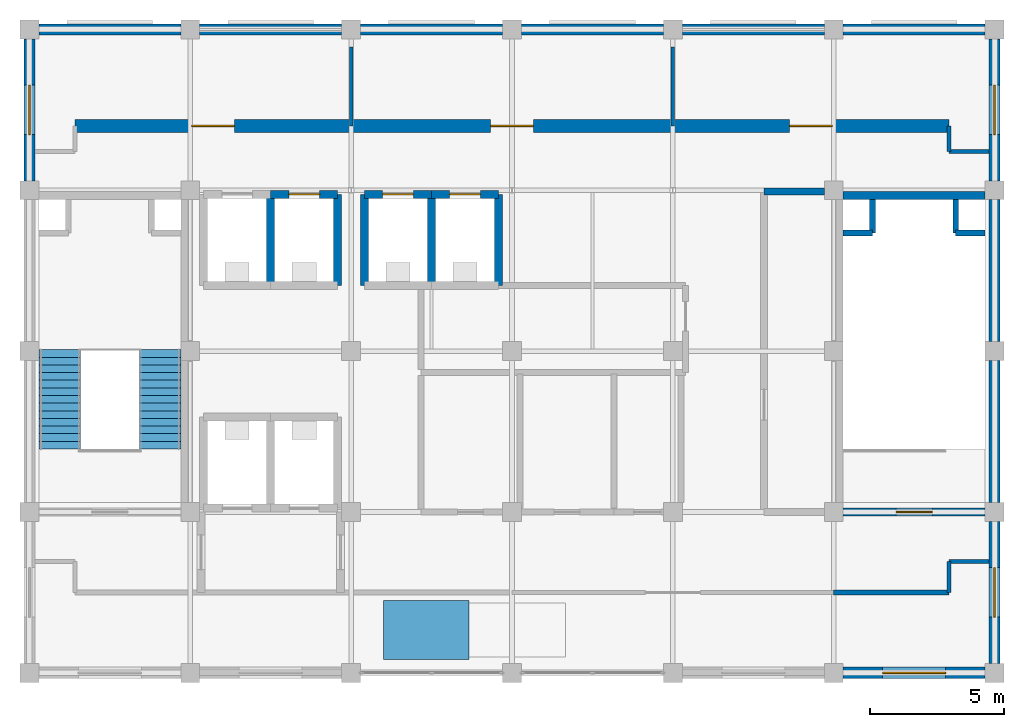
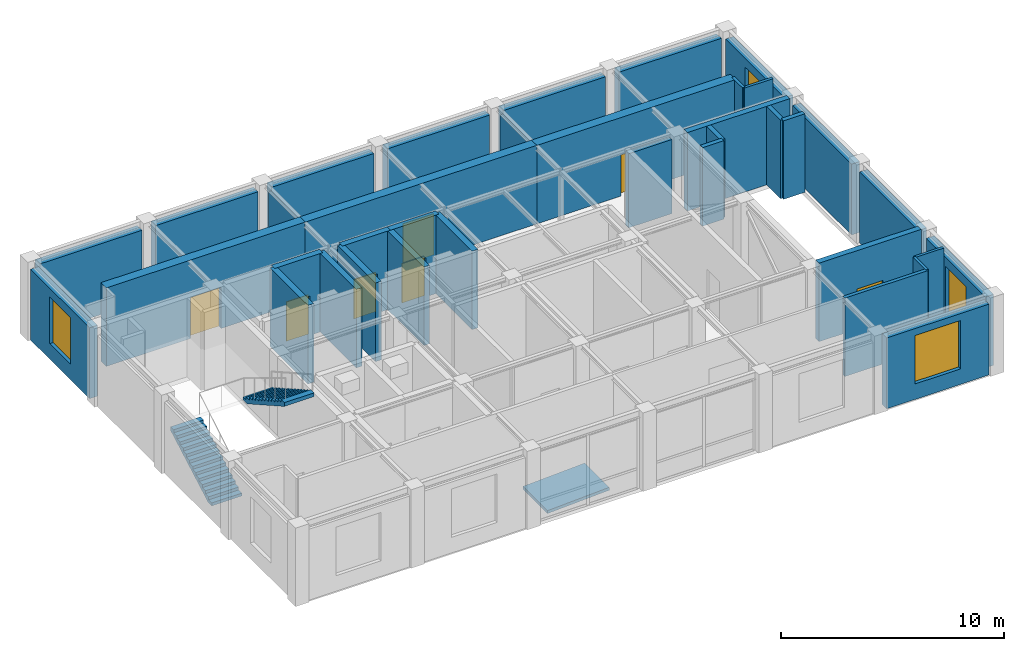
# One storey, part 9 of 11: 37 walls, 7 doors, 4 windows, 2 stair flights, 1 ramp flight, 11 openings, 2 elements without a shape of their own.
"""IFC4 building model written with IfcOpenShell, lengths in metres."""

import ifcopenshell
import ifcopenshell.guid

model = None  # the IFC model being written
_history = None  # IfcOwnerHistory: only IFC2X3 demands one
_inside = {}  # id of a spatial element -> (the spatial element, [elements in it])
_under = {}  # id of a project, library or spatial element -> (it, [spatial elements below it])
_declared = {}  # id of a project -> (the project, [libraries it declares])
_typed = {}  # id of a type object -> (the type object, [elements of that type])
_made_of = {}  # id of a material, layer set ... -> (it, [elements and type objects made of it])


def new_model(schema):
    """Start an empty IFC model of exactly this schema.

    Asked for "IFC4X3", IfcOpenShell would pick the latest addendum, in which some entities
    have other attributes; the version numbers below select the first issue.
    IFC2X3 requires an IfcOwnerHistory on every rooted entity: one is made here for all.
    """
    global model, _history
    if schema == "IFC4X3":
        model = ifcopenshell.file(schema_version=(4, 3, 0, 0))
    else:
        model = ifcopenshell.file(schema=schema)
    _inside.clear()
    _under.clear()
    _declared.clear()
    _typed.clear()
    _made_of.clear()
    _history = None
    if model.schema == "IFC2X3":
        org = make("IfcOrganization", Name="unknown")
        user = make(
            "IfcPersonAndOrganization",
            ThePerson=make("IfcPerson", FamilyName="unknown"),
            TheOrganization=org,
        )
        app = make(
            "IfcApplication",
            ApplicationDeveloper=org,
            Version="unknown",
            ApplicationFullName="unknown",
            ApplicationIdentifier="unknown",
        )
        _history = make(
            "IfcOwnerHistory",
            OwningUser=user,
            OwningApplication=app,
            ChangeAction="ADDED",
            CreationDate=0,
        )
    return model


def make(cls, **values):
    """One entity of the class cls with the attributes given. An attribute that is None is left unset."""
    return model.create_entity(
        cls, **{name: value for name, value in values.items() if value is not None}
    )


def rooted(cls, **values):
    """An entity with a GlobalId (a new one), such as an element, a storey or a relation."""
    return make(cls, GlobalId=ifcopenshell.guid.new(), OwnerHistory=_history, **values)


def si_unit(unit_type, name, prefix=None):
    """IfcSIUnit, for example si_unit("LENGTHUNIT", "METRE", prefix="MILLI")."""
    return make("IfcSIUnit", UnitType=unit_type, Prefix=prefix, Name=name)


def assignment(units):
    """IfcUnitAssignment: the units of a project."""
    return None if units is None else make("IfcUnitAssignment", Units=units)


def point(xyz):
    """IfcCartesianPoint."""
    return None if xyz is None else make("IfcCartesianPoint", Coordinates=xyz)


def direction(xyz):
    """IfcDirection."""
    return None if xyz is None else make("IfcDirection", DirectionRatios=xyz)


def frame(location, z_axis=None, x_axis=None):
    """IfcAxis2Placement3D, a coordinate frame: its origin and axes. An axis left out is left unset."""
    return make(
        "IfcAxis2Placement3D",
        Location=point(location),
        Axis=direction(z_axis),
        RefDirection=direction(x_axis),
    )


def frame_2d(location, x_axis=None):
    """IfcAxis2Placement2D, a coordinate frame in the plane: its origin and x axis."""
    return make(
        "IfcAxis2Placement2D", Location=point(location), RefDirection=direction(x_axis)
    )


def origin():
    """The frame at (0, 0, 0) with its axes left unset."""
    return frame((0.0, 0.0, 0.0))


def place(relative_to, where):
    """IfcLocalPlacement: puts the frame where relative to a parent placement (None: the world)."""
    return make(
        "IfcLocalPlacement", PlacementRelTo=relative_to, RelativePlacement=where
    )


def context(
    kind, dimensions, precision=None, world=None, true_north=None, identifier=None
):
    """IfcGeometricRepresentationContext, for example the 3D "Model" context."""
    return make(
        "IfcGeometricRepresentationContext",
        ContextIdentifier=identifier,
        ContextType=kind,
        CoordinateSpaceDimension=dimensions,
        Precision=precision,
        WorldCoordinateSystem=world,
        TrueNorth=true_north,
    )


def subcontext(parent, identifier, kind, view, scale=None):
    """IfcGeometricRepresentationSubContext, for example "Body" below "Model"."""
    return make(
        "IfcGeometricRepresentationSubContext",
        ContextIdentifier=identifier,
        ContextType=kind,
        ParentContext=parent,
        TargetScale=scale,
        TargetView=view,
    )


def project(units=None, contexts=None):
    """IfcProject with its units and contexts."""
    return rooted(
        "IfcProject",
        Name="project",
        RepresentationContexts=contexts,
        UnitsInContext=assignment(units),
    )


def spatial(cls, under=None, at=None, **own):
    """A site, building, storey or space (cls), placed at a placement, below another one or the project."""
    s = rooted(cls, ObjectPlacement=at, **own)
    if under is not None:
        _under.setdefault(under.id(), (under, []))[1].append(s)
    return s


def polyline(points):
    """IfcPolyline through the points."""
    return make("IfcPolyline", Points=[point(p) for p in points])


def profile(cls, at=None, kind="AREA", **sizes):
    """A parametric profile (cls). Its sizes go by their IFC names, for example OverallWidth=200.0."""
    return make(cls, ProfileType=kind, Position=at, **sizes)


def rectangle(**sizes):
    """IfcRectangleProfileDef."""
    return profile("IfcRectangleProfileDef", **sizes)


def outline(outer, holes=None, kind="AREA"):
    """IfcArbitraryClosedProfileDef: a profile drawn as a closed curve; with holes, ...WithVoids."""
    if holes is None:
        return make("IfcArbitraryClosedProfileDef", ProfileType=kind, OuterCurve=outer)
    return make(
        "IfcArbitraryProfileDefWithVoids",
        ProfileType=kind,
        OuterCurve=outer,
        InnerCurves=holes,
    )


def extrude(swept, where, along, depth):
    """IfcExtrudedAreaSolid: the profile swept, set in the frame where, extruded along a direction by depth."""
    return make(
        "IfcExtrudedAreaSolid",
        SweptArea=swept,
        Position=where,
        ExtrudedDirection=direction(along),
        Depth=depth,
    )


def shape(context_of_items, identifier, shape_type, items):
    """IfcShapeRepresentation: the items that make up one representation, for example the "Body"."""
    return make(
        "IfcShapeRepresentation",
        ContextOfItems=context_of_items,
        RepresentationIdentifier=identifier,
        RepresentationType=shape_type,
        Items=items,
    )


def material(Name=None, Category=None):
    """IfcMaterial."""
    return make("IfcMaterial", Name=Name, Category=Category)


def layer(
    of_material, thickness, ventilated=None, Name=None, Category=None, Priority=None
):
    """IfcMaterialLayer: one layer of a wall or slab, of a material (None: an air gap)."""
    return make(
        "IfcMaterialLayer",
        Material=of_material,
        LayerThickness=thickness,
        IsVentilated=ventilated,
        Name=Name,
        Category=Category,
        Priority=Priority,
    )


def layer_set(layers, Name=None):
    """IfcMaterialLayerSet."""
    return make("IfcMaterialLayerSet", MaterialLayers=layers, LayerSetName=Name)


def made_of(thing, what):
    """Note that an element or type object is made of a material, layer set ...; save() writes the relation."""
    if what is not None:
        _made_of.setdefault(what.id(), (what, []))[1].append(thing)
    return thing


def type_object(cls, material=None, **own):
    """A type object (cls), such as IfcWallType, which elements share."""
    return made_of(rooted(cls, **own), material)


def element(
    cls,
    number,
    at=None,
    inside=None,
    cuts=None,
    type_object=None,
    material=None,
    context=None,
    identifier="Body",
    shape_type=None,
    held_by="IfcProductDefinitionShape",
    body=None,
    shapes=None,
    **own,
):
    """One element of the class cls, such as IfcWall. Its Tag is "e" and its number.

    at: its placement. inside: the storey or other place that contains it. cuts: it is an
    opening in that element (IfcRelVoidsElement). A single representation is given by context,
    identifier, shape_type and body (its items); several are given by shapes. held_by: the class
    of the entity that holds the representations. save() writes the other relations.
    """
    e = rooted(cls, Tag="e%d" % number, ObjectPlacement=at, **own)
    if body is not None:
        shapes = [shape(context, identifier, shape_type, body)]
    if shapes is not None:
        e.Representation = make(held_by, Representations=shapes)
    if inside is not None:
        _inside.setdefault(inside.id(), (inside, []))[1].append(e)
    if cuts is not None:
        rooted(
            "IfcRelVoidsElement", RelatingBuildingElement=cuts, RelatedOpeningElement=e
        )
    if type_object is not None:
        _typed.setdefault(type_object.id(), (type_object, []))[1].append(e)
    return made_of(e, material)


def fill(opening, filler):
    """IfcRelFillsElement: the door or window that sits in an opening."""
    return rooted(
        "IfcRelFillsElement",
        RelatingOpeningElement=opening,
        RelatedBuildingElement=filler,
    )


def aggregate(whole, parts):
    """IfcRelAggregates: a whole, such as a stair, and the parts it consists of."""
    return rooted("IfcRelAggregates", RelatingObject=whole, RelatedObjects=parts)


def save(model, path):
    """Write the relations noted so far, then the file.

    IfcRelAggregates (storeys below a building ...), IfcRelContainedInSpatialStructure (elements
    in a storey), IfcRelDefinesByType, IfcRelAssociatesMaterial and IfcRelDeclares: one each for
    every whole, place, type object, material and project.
    """
    for whole, parts in _under.values():
        aggregate(whole, parts)
    for where, things in _inside.values():
        rooted(
            "IfcRelContainedInSpatialStructure",
            RelatedElements=things,
            RelatingStructure=where,
        )
    for kind, things in _typed.values():
        rooted("IfcRelDefinesByType", RelatedObjects=things, RelatingType=kind)
    for what, things in _made_of.values():
        rooted("IfcRelAssociatesMaterial", RelatedObjects=things, RelatingMaterial=what)
    for by, libraries in _declared.values():
        rooted("IfcRelDeclares", RelatingContext=by, RelatedDefinitions=libraries)
    model.write(path)


model = new_model("IFC4")

# Units and contexts
model_context = context("Model", 3, precision=1e-05, world=origin(), true_north=direction((0.0, 1.0)))
body_context = subcontext(model_context, "Body", "Model", "MODEL_VIEW")
ifc_project = project(units=[si_unit("LENGTHUNIT", "METRE"), si_unit("AREAUNIT", "SQUARE_METRE"), si_unit("VOLUMEUNIT", "CUBIC_METRE"), si_unit("PLANEANGLEUNIT", "RADIAN"), si_unit("MASSUNIT", "GRAM", prefix="KILO")], contexts=[model_context])

# Site, building, storey
site_placement = place(None, origin())
site = spatial("IfcSite", under=ifc_project, at=site_placement, CompositionType="ELEMENT")
building_placement = place(site_placement, origin())
building = spatial("IfcBuilding", under=site, at=building_placement, Name="Zlatovratsky Civic Hall", CompositionType="ELEMENT")
storey_placement = place(building_placement, frame((0.0, 0.0, 72.0)))
storey = spatial("IfcBuildingStorey", under=building, at=storey_placement, Name="L18", CompositionType="ELEMENT", Elevation=72.0)

# Walls
ifc_material_1 = material(Name="Acoustic ceramic blockwork", Category="masonry")
ifc_layer_1 = layer(ifc_material_1, 0.179931640625)
ifc_layer_set_1 = layer_set([ifc_layer_1], Name="Acoustic ceramic blockwork")
wall_type_1 = type_object("IfcWallType", Name="Wall_AcousticChamberPartition_180", PredefinedType="PARTITIONING", material=ifc_layer_set_1)
wall_1_placement = place(storey_placement, frame((96.0, 81.0, 0.0), z_axis=(0.0, 0.0, 1.0), x_axis=(1.0, 0.0, 0.0)))
element("IfcWall", 1, at=wall_1_placement, inside=storey, type_object=wall_type_1, Name="WL-6834", PredefinedType="PARTITIONING", context=body_context, shape_type="SweptSolid", body=[
    extrude(rectangle(XDim=4.300048828125, YDim=0.179931640625, at=frame_2d((2.14990234375, 0.0))), origin(), (0.0, 0.0, 1.0), 4.300048828125),
])
ifc_layer_2 = layer(ifc_material_1, 0.260009765625)
ifc_layer_set_2 = layer_set([ifc_layer_2], Name="Acoustic ceramic blockwork")
wall_type_2 = type_object("IfcWallType", Name="Wall_ArchiveCompartment_260", PredefinedType="PARTITIONING", material=ifc_layer_set_2)
wall_2_placement = place(storey_placement, frame((93.39990234375, 95.9599609375, 0.0), z_axis=(0.0, 0.0, 1.0), x_axis=(1.0, 0.0, 0.0)))
element("IfcWall", 2, at=wall_2_placement, inside=storey, type_object=wall_type_2, Name="WL-6813", PredefinedType="PARTITIONING", context=body_context, shape_type="SweptSolid", body=[
    extrude(rectangle(XDim=2.25, YDim=0.260009765625, at=frame_2d((1.125, 0.0))), origin(), (0.0, 0.0, 1.0), 4.055908203125),
])

# Wall, opening, door
ifc_material_2 = material(Name="Concrete C35/45 (B40)", Category="concrete")
ifc_layer_3 = layer(ifc_material_2, 0.47998046875)
ifc_layer_set_3 = layer_set([ifc_layer_3], Name="Concrete C35/45 (B40)")
wall_type_3 = type_object("IfcWallType", Name="Wall_LowerCoreShear_480", PredefinedType="SHEAR", material=ifc_layer_set_3)
wall_3_placement = place(storey_placement, frame((67.699951171875, 98.39990234375, 0.0), z_axis=(0.0, 0.0, 1.0), x_axis=(1.0, 0.0, 0.0)))
wall_3 = element("IfcWall", 3, at=wall_3_placement, inside=storey, type_object=wall_type_3, Name="WL-6824", PredefinedType="SHEAR", context=body_context, shape_type="SweptSolid", body=[
    extrude(rectangle(XDim=10.300048828125, YDim=0.47998046875, at=frame_2d((5.14990234375, 0.0))), origin(), (0.0, 0.0, 1.0), 4.300048828125),
])
opening_1_placement = place(wall_3_placement, frame((4.35009765625, 0.0, 0.0)))
opening_1 = element("IfcOpeningElement", 4, at=opening_1_placement, cuts=wall_3, Name="Opening D-29", PredefinedType="OPENING", context=body_context, shape_type="SweptSolid", body=[
    extrude(rectangle(XDim=1.60009765625, YDim=2.25, at=frame_2d((0.800048828125, 1.125))), frame((0.0, 0.2548828125, 0.0), z_axis=(0.0, -1.0, 0.0), x_axis=(1.0, 0.0, 0.0)), (0.0, 0.0, 1.0), 0.509765625),
])
ifc_material_3 = material(Name="Insulated painted fire-rated steel leaf", Category="steel")
door_type_1 = type_object("IfcDoorType", Name="Door_PlantRoomDouble_1600x2250", OperationType="DOUBLE_DOOR_SINGLE_SWING", PredefinedType="DOOR", material=ifc_material_3)
door_1_placement = place(opening_1_placement, origin())
door_1 = element("IfcDoor", 5, at=door_1_placement, inside=storey, type_object=door_type_1, Name="DR-5574", OperationType="DOUBLE_DOOR_SINGLE_SWING", OverallHeight=2.25, OverallWidth=1.60009765625, PredefinedType="DOOR", context=body_context, shape_type="SweptSolid", body=[
    extrude(rectangle(XDim=1.60009765625, YDim=2.25, at=frame_2d((0.800048828125, 1.125))), frame((0.0, 0.02490234375, 0.0), z_axis=(0.0, -1.0, 0.0), x_axis=(1.0, 0.0, 0.0)), (0.0, 0.0, 1.0), 0.050048828125),
])
fill(opening_1, door_1)

wall_4_placement = place(storey_placement, frame((78.0, 98.39990234375, 0.0), z_axis=(0.0, 0.0, 1.0), x_axis=(1.0, 0.0, 0.0)))
wall_4 = element("IfcWall", 6, at=wall_4_placement, inside=storey, type_object=wall_type_3, Name="WL-6825", PredefinedType="SHEAR", context=body_context, shape_type="SweptSolid", body=[
    extrude(rectangle(XDim=12.0, YDim=0.47998046875, at=frame_2d((6.0, 0.0))), origin(), (0.0, 0.0, 1.0), 4.300048828125),
])
opening_2_placement = place(wall_4_placement, frame((5.199951171875, 0.0, 0.0)))
opening_2 = element("IfcOpeningElement", 7, at=opening_2_placement, cuts=wall_4, Name="Opening D-29", PredefinedType="OPENING", context=body_context, shape_type="SweptSolid", body=[
    extrude(rectangle(XDim=1.60009765625, YDim=2.25, at=frame_2d((0.800048828125, 1.125))), frame((0.0, 0.2548828125, 0.0), z_axis=(0.0, -1.0, 0.0), x_axis=(1.0, 0.0, 0.0)), (0.0, 0.0, 1.0), 0.509765625),
])
door_2_placement = place(opening_2_placement, origin())
door_2 = element("IfcDoor", 8, at=door_2_placement, inside=storey, type_object=door_type_1, Name="DR-5575", OperationType="DOUBLE_DOOR_SINGLE_SWING", OverallHeight=2.25, OverallWidth=1.60009765625, PredefinedType="DOOR", context=body_context, shape_type="SweptSolid", body=[
    extrude(rectangle(XDim=1.60009765625, YDim=2.25, at=frame_2d((0.800048828125, 1.125))), frame((0.0, 0.02490234375, 0.0), z_axis=(0.0, -1.0, 0.0), x_axis=(1.0, 0.0, 0.0)), (0.0, 0.0, 1.0), 0.050048828125),
])
fill(opening_2, door_2)

wall_5_placement = place(storey_placement, frame((90.0, 98.39990234375, 0.0), z_axis=(0.0, 0.0, 1.0), x_axis=(1.0, 0.0, 0.0)))
wall_5 = element("IfcWall", 9, at=wall_5_placement, inside=storey, type_object=wall_type_3, Name="WL-6826", PredefinedType="SHEAR", context=body_context, shape_type="SweptSolid", body=[
    extrude(rectangle(XDim=10.300048828125, YDim=0.47998046875, at=frame_2d((5.14990234375, 0.0))), origin(), (0.0, 0.0, 1.0), 4.300048828125),
])
opening_3_placement = place(wall_5_placement, frame((4.35009765625, 0.0, 0.0)))
opening_3 = element("IfcOpeningElement", 10, at=opening_3_placement, cuts=wall_5, Name="Opening D-29", PredefinedType="OPENING", context=body_context, shape_type="SweptSolid", body=[
    extrude(rectangle(XDim=1.60009765625, YDim=2.25, at=frame_2d((0.800048828125, 1.125))), frame((0.0, 0.2548828125, 0.0), z_axis=(0.0, -1.0, 0.0), x_axis=(1.0, 0.0, 0.0)), (0.0, 0.0, 1.0), 0.509765625),
])
door_3_placement = place(opening_3_placement, origin())
door_3 = element("IfcDoor", 11, at=door_3_placement, inside=storey, type_object=door_type_1, Name="DR-5576", OperationType="DOUBLE_DOOR_SINGLE_SWING", OverallHeight=2.25, OverallWidth=1.60009765625, PredefinedType="DOOR", context=body_context, shape_type="SweptSolid", body=[
    extrude(rectangle(XDim=1.60009765625, YDim=2.25, at=frame_2d((0.800048828125, 1.125))), frame((0.0, 0.02490234375, 0.0), z_axis=(0.0, -1.0, 0.0), x_axis=(1.0, 0.0, 0.0)), (0.0, 0.0, 1.0), 0.050048828125),
])
fill(opening_3, door_3)

# Walls
ifc_material_4 = material(Name="Fire-rated gypsum board framing", Category="gypsum")
ifc_layer_4 = layer(ifc_material_4, 0.139892578125)
ifc_layer_set_4 = layer_set([ifc_layer_4], Name="Fire-rated gypsum board framing")
wall_type_4 = type_object("IfcWallType", Name="Wall_OfficePartition_140", PredefinedType="PARTITIONING", material=ifc_layer_set_4)
for number, where, z_axis, x_axis, name in (
    (12, (78.0, 98.39990234375, 0.0), (0.0, 0.0, 1.0), (0.0, 1.0, 0.0), "WL-6827"),
    (13, (90.0, 98.39990234375, 0.0), (0.0, 0.0, 1.0), (0.0, 1.0, 0.0), "WL-6828"),
):
    element("IfcWall", number, at=place(storey_placement, frame(where, z_axis=z_axis, x_axis=x_axis)), inside=storey, type_object=wall_type_4, Name=name, PredefinedType="PARTITIONING", context=body_context, shape_type="SweptSolid", body=[
        extrude(rectangle(XDim=2.9501953125, YDim=0.139892578125, at=frame_2d((1.47509765625, 0.0))), origin(), (0.0, 0.0, 1.0), 4.055908203125),
    ])
wall_6_placement = place(storey_placement, frame((100.300048828125, 81.0, 0.0), z_axis=(0.0, 0.0, 1.0), x_axis=(0.0, 1.0, 0.0)))
element("IfcWall", 14, at=wall_6_placement, inside=storey, type_object=wall_type_4, Name="WL-6837", PredefinedType="PARTITIONING", context=body_context, shape_type="SweptSolid", body=[
    extrude(rectangle(XDim=1.14990234375, YDim=0.139892578125, at=frame_2d((0.574951171875, 0.0))), origin(), (0.0, 0.0, 1.0), 4.300048828125),
])
wall_7_placement = place(storey_placement, frame((100.300048828125, 82.14990234375, 0.0), z_axis=(0.0, 0.0, 1.0), x_axis=(1.0, 0.0, 0.0)))
element("IfcWall", 15, at=wall_7_placement, inside=storey, type_object=wall_type_4, Name="WL-6838", PredefinedType="PARTITIONING", context=body_context, shape_type="SweptSolid", body=[
    extrude(rectangle(XDim=1.489990234375, YDim=0.139892578125, at=frame_2d((0.7451171875, 0.0))), origin(), (0.0, 0.0, 1.0), 4.300048828125),
])
wall_8_placement = place(storey_placement, frame((100.300048828125, 98.39990234375, 0.0), z_axis=(0.0, 0.0, 1.0), x_axis=(0.0, -1.0, 0.0)))
element("IfcWall", 16, at=wall_8_placement, inside=storey, type_object=wall_type_4, Name="WL-6841", PredefinedType="PARTITIONING", context=body_context, shape_type="SweptSolid", body=[
    extrude(rectangle(XDim=0.949951171875, YDim=0.139892578125, at=frame_2d((0.47509765625, 0.0))), origin(), (0.0, 0.0, 1.0), 4.300048828125),
])
wall_9_placement = place(storey_placement, frame((100.300048828125, 97.449951171875, 0.0), z_axis=(0.0, 0.0, 1.0), x_axis=(1.0, 0.0, 0.0)))
element("IfcWall", 17, at=wall_9_placement, inside=storey, type_object=wall_type_4, Name="WL-6842", PredefinedType="PARTITIONING", context=body_context, shape_type="SweptSolid", body=[
    extrude(rectangle(XDim=1.489990234375, YDim=0.139892578125, at=frame_2d((0.7451171875, 0.0))), origin(), (0.0, 0.0, 1.0), 4.300048828125),
])
ifc_layer_5 = layer(ifc_material_1, 0.219970703125)
ifc_layer_set_5 = layer_set([ifc_layer_5], Name="Acoustic ceramic blockwork")
wall_type_5 = type_object("IfcWallType", Name="Wall_SanitaryWetCore_220", PredefinedType="PARTITIONING", material=ifc_layer_set_5)
wall_10_placement = place(storey_placement, frame((97.449951171875, 94.39990234375, 0.0), z_axis=(0.0, 0.0, 1.0), x_axis=(0.0, 1.0, 0.0)))
element("IfcWall", 18, at=wall_10_placement, inside=storey, type_object=wall_type_5, Name="WL-5305", PredefinedType="PARTITIONING", context=body_context, shape_type="SweptSolid", body=[
    extrude(rectangle(XDim=1.25, YDim=0.219970703125, at=frame_2d((0.625, 0.0))), origin(), (0.0, 0.0, 1.0), 4.300048828125),
])
wall_11_placement = place(storey_placement, frame((96.35009765625, 94.39990234375, 0.0), z_axis=(0.0, 0.0, 1.0), x_axis=(1.0, 0.0, 0.0)))
element("IfcWall", 19, at=wall_11_placement, inside=storey, type_object=wall_type_5, Name="WL-5306", PredefinedType="PARTITIONING", context=body_context, shape_type="SweptSolid", body=[
    extrude(rectangle(XDim=1.099853515625, YDim=0.219970703125, at=frame_2d((0.5498046875, 0.0))), origin(), (0.0, 0.0, 1.0), 4.300048828125),
])
wall_12_placement = place(storey_placement, frame((100.550048828125, 94.39990234375, 0.0), z_axis=(0.0, 0.0, 1.0), x_axis=(0.0, 1.0, 0.0)))
element("IfcWall", 20, at=wall_12_placement, inside=storey, type_object=wall_type_5, Name="WL-5307", PredefinedType="PARTITIONING", context=body_context, shape_type="SweptSolid", body=[
    extrude(rectangle(XDim=1.25, YDim=0.219970703125, at=frame_2d((0.625, 0.0))), origin(), (0.0, 0.0, 1.0), 4.300048828125),
])
wall_13_placement = place(storey_placement, frame((100.550048828125, 94.39990234375, 0.0), z_axis=(0.0, 0.0, 1.0), x_axis=(1.0, 0.0, 0.0)))
element("IfcWall", 21, at=wall_13_placement, inside=storey, type_object=wall_type_5, Name="WL-5308", PredefinedType="PARTITIONING", context=body_context, shape_type="SweptSolid", body=[
    extrude(rectangle(XDim=1.099853515625, YDim=0.219970703125, at=frame_2d((0.5498046875, 0.0))), origin(), (0.0, 0.0, 1.0), 4.300048828125),
])

# Wall, opening, door
ifc_layer_6 = layer(ifc_material_2, 0.300048828125)
ifc_layer_set_6 = layer_set([ifc_layer_6], Name="Concrete C35/45 (B40)")
wall_type_6 = type_object("IfcWallType", Name="Wall_StairAndLiftShaft_300", PredefinedType="SHEAR", material=ifc_layer_set_6)
wall_14_placement = place(storey_placement, frame((96.35009765625, 84.0, 0.0), z_axis=(0.0, 0.0, 1.0), x_axis=(1.0, 0.0, 0.0)))
wall_14 = element("IfcWall", 22, at=wall_14_placement, inside=storey, type_object=wall_type_6, Name="WL-5302", PredefinedType="SHEAR", context=body_context, shape_type="SweptSolid", body=[
    extrude(rectangle(XDim=5.2998046875, YDim=0.300048828125, at=frame_2d((2.64990234375, 0.0))), origin(), (0.0, 0.0, 1.0), 4.300048828125),
])
opening_4_placement = place(wall_14_placement, frame((1.97509765625, 0.0, 0.0)))
opening_4 = element("IfcOpeningElement", 23, at=opening_4_placement, cuts=wall_14, Name="Opening D-17", PredefinedType="OPENING", context=body_context, shape_type="SweptSolid", body=[
    extrude(rectangle(XDim=1.35009765625, YDim=2.199951171875, at=frame_2d((0.675048828125, 1.10009765625))), frame((0.0, 0.1650390625, 0.0), z_axis=(0.0, -1.0, 0.0), x_axis=(1.0, 0.0, 0.0)), (0.0, 0.0, 1.0), 0.329833984375),
])
door_type_2 = type_object("IfcDoorType", Name="Door_StairwellFireTower_1350x2200", OperationType="NOTDEFINED", PredefinedType="DOOR", material=ifc_material_3)
door_4_placement = place(opening_4_placement, origin())
door_4 = element("IfcDoor", 24, at=door_4_placement, inside=storey, type_object=door_type_2, Name="DR-5038", OperationType="SINGLE_SWING_LEFT", OverallHeight=2.199951171875, OverallWidth=1.35009765625, PredefinedType="DOOR", context=body_context, shape_type="SweptSolid", body=[
    extrude(rectangle(XDim=1.35009765625, YDim=2.199951171875, at=frame_2d((0.675048828125, 1.10009765625))), frame((0.0, 0.02490234375, 0.0), z_axis=(0.0, -1.0, 0.0), x_axis=(1.0, 0.0, 0.0)), (0.0, 0.0, 1.0), 0.050048828125),
])
fill(opening_4, door_4)

# Wall
wall_15_placement = place(storey_placement, frame((96.35009765625, 95.800048828125, 0.0), z_axis=(0.0, 0.0, 1.0), x_axis=(1.0, 0.0, 0.0)))
element("IfcWall", 25, at=wall_15_placement, inside=storey, type_object=wall_type_6, Name="WL-5303", PredefinedType="SHEAR", context=body_context, shape_type="SweptSolid", body=[
    extrude(rectangle(XDim=5.2998046875, YDim=0.300048828125, at=frame_2d((2.64990234375, 0.0))), origin(), (0.0, 0.0, 1.0), 4.300048828125),
])

# Wall, opening, door
wall_16_placement = place(storey_placement, frame((75.0, 95.85009765625, 0.0), z_axis=(0.0, 0.0, 1.0), x_axis=(1.0, 0.0, 0.0)))
wall_16 = element("IfcWall", 26, at=wall_16_placement, inside=storey, type_object=wall_type_6, Name="WL-5755", PredefinedType="SHEAR", context=body_context, shape_type="SweptSolid", body=[
    extrude(rectangle(XDim=2.5, YDim=0.300048828125, at=frame_2d((1.25, 0.0))), origin(), (0.0, 0.0, 1.0), 4.300048828125),
])
opening_5_placement = place(wall_16_placement, frame((0.675048828125, 0.0, 0.0)))
opening_5 = element("IfcOpeningElement", 27, at=opening_5_placement, cuts=wall_16, Name="Opening LD-02", PredefinedType="OPENING", context=body_context, shape_type="SweptSolid", body=[
    extrude(rectangle(XDim=1.14990234375, YDim=2.14990234375, at=frame_2d((0.574951171875, 1.074951171875))), frame((0.0, 0.1650390625, 0.0), z_axis=(0.0, -1.0, 0.0), x_axis=(1.0, 0.0, 0.0)), (0.0, 0.0, 1.0), 0.329833984375),
])
ifc_material_5 = material(Name="Brushed stainless steel AISI 304", Category="steel")
door_type_3 = type_object("IfcDoorType", Name="Door_LiftLandingHighRise_1150x2150", OperationType="DOUBLE_DOOR_SLIDING", PredefinedType="DOOR", material=ifc_material_5)
door_5_placement = place(opening_5_placement, origin())
door_5 = element("IfcDoor", 28, at=door_5_placement, inside=storey, type_object=door_type_3, Name="Lift landing door LD-5134", OperationType="DOUBLE_DOOR_SLIDING", OverallHeight=2.14990234375, OverallWidth=1.14990234375, PredefinedType="DOOR", context=body_context, shape_type="SweptSolid", body=[
    extrude(rectangle(XDim=1.14990234375, YDim=2.14990234375, at=frame_2d((0.574951171875, 1.074951171875))), frame((0.0, 0.02490234375, 0.0), z_axis=(0.0, -1.0, 0.0), x_axis=(1.0, 0.0, 0.0)), (0.0, 0.0, 1.0), 0.050048828125),
])
fill(opening_5, door_5)

# Walls
for number, where, z_axis, x_axis, name in (
    (29, (75.0, 92.449951171875, 0.0), (0.0, 0.0, 1.0), (0.0, 1.0, 0.0), "WL-5757"),
    (30, (77.5, 92.449951171875, 0.0), (0.0, 0.0, 1.0), (0.0, 1.0, 0.0), "WL-5758"),
):
    element("IfcWall", number, at=place(storey_placement, frame(where, z_axis=z_axis, x_axis=x_axis)), inside=storey, type_object=wall_type_6, Name=name, PredefinedType="SHEAR", context=body_context, shape_type="SweptSolid", body=[
        extrude(rectangle(XDim=3.400146484375, YDim=0.300048828125, at=frame_2d((1.7001953125, 0.0))), origin(), (0.0, 0.0, 1.0), 4.300048828125),
    ])

# Wall, opening, door
wall_17_placement = place(storey_placement, frame((78.5, 95.85009765625, 0.0), z_axis=(0.0, 0.0, 1.0), x_axis=(1.0, 0.0, 0.0)))
wall_17 = element("IfcWall", 31, at=wall_17_placement, inside=storey, type_object=wall_type_6, Name="WL-5813", PredefinedType="SHEAR", context=body_context, shape_type="SweptSolid", body=[
    extrude(rectangle(XDim=2.5, YDim=0.300048828125, at=frame_2d((1.25, 0.0))), origin(), (0.0, 0.0, 1.0), 4.300048828125),
])
opening_6_placement = place(wall_17_placement, frame((0.675048828125, 0.0, 0.0)))
opening_6 = element("IfcOpeningElement", 32, at=opening_6_placement, cuts=wall_17, Name="Opening LD-02", PredefinedType="OPENING", context=body_context, shape_type="SweptSolid", body=[
    extrude(rectangle(XDim=1.14990234375, YDim=2.14990234375, at=frame_2d((0.574951171875, 1.074951171875))), frame((0.0, 0.1650390625, 0.0), z_axis=(0.0, -1.0, 0.0), x_axis=(1.0, 0.0, 0.0)), (0.0, 0.0, 1.0), 0.329833984375),
])
door_6_placement = place(opening_6_placement, origin())
door_6 = element("IfcDoor", 33, at=door_6_placement, inside=storey, type_object=door_type_3, Name="Lift landing door LD-5153", OperationType="DOUBLE_DOOR_SLIDING", OverallHeight=2.14990234375, OverallWidth=1.14990234375, PredefinedType="DOOR", context=body_context, shape_type="SweptSolid", body=[
    extrude(rectangle(XDim=1.14990234375, YDim=2.14990234375, at=frame_2d((0.574951171875, 1.074951171875))), frame((0.0, 0.02490234375, 0.0), z_axis=(0.0, -1.0, 0.0), x_axis=(1.0, 0.0, 0.0)), (0.0, 0.0, 1.0), 0.050048828125),
])
fill(opening_6, door_6)

# Wall
wall_18_placement = place(storey_placement, frame((78.5, 92.449951171875, 0.0), z_axis=(0.0, 0.0, 1.0), x_axis=(0.0, 1.0, 0.0)))
element("IfcWall", 34, at=wall_18_placement, inside=storey, type_object=wall_type_6, Name="WL-5815", PredefinedType="SHEAR", context=body_context, shape_type="SweptSolid", body=[
    extrude(rectangle(XDim=3.400146484375, YDim=0.300048828125, at=frame_2d((1.7001953125, 0.0))), origin(), (0.0, 0.0, 1.0), 4.300048828125),
])

# Wall, opening, door
wall_19_placement = place(storey_placement, frame((81.0, 95.85009765625, 0.0), z_axis=(0.0, 0.0, 1.0), x_axis=(1.0, 0.0, 0.0)))
wall_19 = element("IfcWall", 35, at=wall_19_placement, inside=storey, type_object=wall_type_6, Name="WL-5888", PredefinedType="SHEAR", context=body_context, shape_type="SweptSolid", body=[
    extrude(rectangle(XDim=2.5, YDim=0.300048828125, at=frame_2d((1.25, 0.0))), origin(), (0.0, 0.0, 1.0), 4.300048828125),
])
opening_7_placement = place(wall_19_placement, frame((0.675048828125, 0.0, 0.0)))
opening_7 = element("IfcOpeningElement", 36, at=opening_7_placement, cuts=wall_19, Name="Opening LD-02", PredefinedType="OPENING", context=body_context, shape_type="SweptSolid", body=[
    extrude(rectangle(XDim=1.14990234375, YDim=2.14990234375, at=frame_2d((0.574951171875, 1.074951171875))), frame((0.0, 0.1650390625, 0.0), z_axis=(0.0, -1.0, 0.0), x_axis=(1.0, 0.0, 0.0)), (0.0, 0.0, 1.0), 0.329833984375),
])
door_7_placement = place(opening_7_placement, origin())
door_7 = element("IfcDoor", 37, at=door_7_placement, inside=storey, type_object=door_type_3, Name="Lift landing door LD-5172", OperationType="DOUBLE_DOOR_SLIDING", OverallHeight=2.14990234375, OverallWidth=1.14990234375, PredefinedType="DOOR", context=body_context, shape_type="SweptSolid", body=[
    extrude(rectangle(XDim=1.14990234375, YDim=2.14990234375, at=frame_2d((0.574951171875, 1.074951171875))), frame((0.0, 0.02490234375, 0.0), z_axis=(0.0, -1.0, 0.0), x_axis=(1.0, 0.0, 0.0)), (0.0, 0.0, 1.0), 0.050048828125),
])
fill(opening_7, door_7)

# Walls
for number, where, z_axis, x_axis, name in (
    (38, (81.0, 92.449951171875, 0.0), (0.0, 0.0, 1.0), (0.0, 1.0, 0.0), "WL-5890"),
    (39, (83.5, 92.449951171875, 0.0), (0.0, 0.0, 1.0), (0.0, 1.0, 0.0), "WL-5891"),
):
    element("IfcWall", number, at=place(storey_placement, frame(where, z_axis=z_axis, x_axis=x_axis)), inside=storey, type_object=wall_type_6, Name=name, PredefinedType="SHEAR", context=body_context, shape_type="SweptSolid", body=[
        extrude(rectangle(XDim=3.400146484375, YDim=0.300048828125, at=frame_2d((1.7001953125, 0.0))), origin(), (0.0, 0.0, 1.0), 4.300048828125),
    ])

# Wall, opening, window
ifc_layer_7 = layer(ifc_material_1, 0.280029296875, Name="Backing")
ifc_material_6 = material(Name="Podolsk limestone ashlar", Category="masonry")
ifc_layer_8 = layer(ifc_material_6, 0.139892578125, Name="Finish")
ifc_layer_set_7 = layer_set([ifc_layer_7, ifc_layer_8], Name="Acoustic ceramic blockwork")
wall_type_7 = type_object("IfcWallType", Name="Wall_TowerLimestoneAshlar_420", PredefinedType="SOLIDWALL", material=ifc_layer_set_7)
wall_20_placement = place(storey_placement, frame((96.35009765625, 78.0, 0.0), z_axis=(0.0, 0.0, 1.0), x_axis=(1.0, 0.0, 0.0)))
wall_20 = element("IfcWall", 40, at=wall_20_placement, inside=storey, type_object=wall_type_7, Name="WL-0688", PredefinedType="SOLIDWALL", context=body_context, shape_type="SweptSolid", body=[
    extrude(rectangle(XDim=5.2998046875, YDim=0.419921875, at=frame_2d((2.64990234375, 0.0))), origin(), (0.0, 0.0, 1.0), 3.8798828125),
])
opening_8_placement = place(wall_20_placement, frame((1.47509765625, 0.0, 0.85009765625)))
opening_8 = element("IfcOpeningElement", 41, at=opening_8_placement, cuts=wall_20, Name="Opening WN-25", PredefinedType="OPENING", context=body_context, shape_type="SweptSolid", body=[
    extrude(rectangle(XDim=2.35009765625, YDim=2.64990234375, at=frame_2d((1.175048828125, 1.324951171875))), frame((0.0, 0.224853515625, 0.0), z_axis=(0.0, -1.0, 0.0), x_axis=(1.0, 0.0, 0.0)), (0.0, 0.0, 1.0), 0.44970703125),
])
ifc_material_7 = material(Name="Low-E laminated double glazing", Category="glass")
window_type_1 = type_object("IfcWindowType", Name="Window_BelvedereL18Arch_2350x2650", PartitioningType="SINGLE_PANEL", PredefinedType="WINDOW", material=ifc_material_7)
window_1_placement = place(opening_8_placement, origin())
window_1 = element("IfcWindow", 42, at=window_1_placement, inside=storey, type_object=window_type_1, Name="WN-0544", OverallHeight=2.64990234375, OverallWidth=2.35009765625, PartitioningType="SINGLE_PANEL", PredefinedType="WINDOW", context=body_context, shape_type="SweptSolid", body=[
    extrude(rectangle(XDim=2.35009765625, YDim=2.64990234375, at=frame_2d((1.175048828125, 1.324951171875))), frame((0.0, 0.030029296875, 0.0), z_axis=(0.0, -1.0, 0.0), x_axis=(1.0, 0.0, 0.0)), (0.0, 0.0, 1.0), 0.06005859375),
])
fill(opening_8, window_1)

# Walls
for number, where, z_axis, x_axis, name in (
    (43, (66.35009765625, 102.0, 0.0), (0.0, 0.0, 1.0), (1.0, 0.0, 0.0), "WL-0689"),
    (44, (72.35009765625, 102.0, 0.0), (0.0, 0.0, 1.0), (1.0, 0.0, 0.0), "WL-0690"),
    (45, (78.35009765625, 102.0, 0.0), (0.0, 0.0, 1.0), (1.0, 0.0, 0.0), "WL-0691"),
    (46, (84.35009765625, 102.0, 0.0), (0.0, 0.0, 1.0), (1.0, 0.0, 0.0), "WL-0692"),
    (47, (90.35009765625, 102.0, 0.0), (0.0, 0.0, 1.0), (1.0, 0.0, 0.0), "WL-0693"),
    (48, (96.35009765625, 102.0, 0.0), (0.0, 0.0, 1.0), (1.0, 0.0, 0.0), "WL-0694"),
):
    element("IfcWall", number, at=place(storey_placement, frame(where, z_axis=z_axis, x_axis=x_axis)), inside=storey, type_object=wall_type_7, Name=name, PredefinedType="SOLIDWALL", context=body_context, shape_type="SweptSolid", body=[
        extrude(rectangle(XDim=5.2998046875, YDim=0.419921875, at=frame_2d((2.64990234375, 0.0))), origin(), (0.0, 0.0, 1.0), 3.8798828125),
    ])

# Wall, opening, window
wall_21_placement = place(storey_placement, frame((66.0, 96.35009765625, 0.0), z_axis=(0.0, 0.0, 1.0), x_axis=(0.0, 1.0, 0.0)))
wall_21 = element("IfcWall", 49, at=wall_21_placement, inside=storey, type_object=wall_type_7, Name="WL-0698", PredefinedType="SOLIDWALL", context=body_context, shape_type="SweptSolid", body=[
    extrude(rectangle(XDim=5.2998046875, YDim=0.419921875, at=frame_2d((2.64990234375, 0.0))), origin(), (0.0, 0.0, 1.0), 3.8798828125),
])
opening_9_placement = place(wall_21_placement, frame((1.72509765625, 0.0, 0.85009765625)))
opening_9 = element("IfcOpeningElement", 50, at=opening_9_placement, cuts=wall_21, Name="Opening WN-26", PredefinedType="OPENING", context=body_context, shape_type="SweptSolid", body=[
    extrude(rectangle(XDim=1.85009765625, YDim=2.550048828125, at=frame_2d((0.925048828125, 1.27490234375))), frame((0.0, 0.224853515625, 0.0), z_axis=(0.0, -1.0, 0.0), x_axis=(1.0, 0.0, 0.0)), (0.0, 0.0, 1.0), 0.44970703125),
])
window_type_2 = type_object("IfcWindowType", Name="Window_BelvedereL18Flank_1850x2550", PartitioningType="SINGLE_PANEL", PredefinedType="WINDOW", material=ifc_material_7)
window_2_placement = place(opening_9_placement, origin())
window_2 = element("IfcWindow", 51, at=window_2_placement, inside=storey, type_object=window_type_2, Name="WN-0546", OverallHeight=2.550048828125, OverallWidth=1.85009765625, PartitioningType="SINGLE_PANEL", PredefinedType="WINDOW", context=body_context, shape_type="SweptSolid", body=[
    extrude(rectangle(XDim=1.85009765625, YDim=2.550048828125, at=frame_2d((0.925048828125, 1.27490234375))), frame((0.0, 0.030029296875, 0.0), z_axis=(0.0, -1.0, 0.0), x_axis=(1.0, 0.0, 0.0)), (0.0, 0.0, 1.0), 0.06005859375),
])
fill(opening_9, window_2)

wall_22_placement = place(storey_placement, frame((102.0, 78.35009765625, 0.0), z_axis=(0.0, 0.0, 1.0), x_axis=(0.0, 1.0, 0.0)))
wall_22 = element("IfcWall", 52, at=wall_22_placement, inside=storey, type_object=wall_type_7, Name="WL-0699", PredefinedType="SOLIDWALL", context=body_context, shape_type="SweptSolid", body=[
    extrude(rectangle(XDim=5.2998046875, YDim=0.419921875, at=frame_2d((2.64990234375, 0.0))), origin(), (0.0, 0.0, 1.0), 3.8798828125),
])
opening_10_placement = place(wall_22_placement, frame((1.72509765625, 0.0, 0.85009765625)))
opening_10 = element("IfcOpeningElement", 53, at=opening_10_placement, cuts=wall_22, Name="Opening WN-26", PredefinedType="OPENING", context=body_context, shape_type="SweptSolid", body=[
    extrude(rectangle(XDim=1.85009765625, YDim=2.550048828125, at=frame_2d((0.925048828125, 1.27490234375))), frame((0.0, 0.224853515625, 0.0), z_axis=(0.0, -1.0, 0.0), x_axis=(1.0, 0.0, 0.0)), (0.0, 0.0, 1.0), 0.44970703125),
])
window_3_placement = place(opening_10_placement, origin())
window_3 = element("IfcWindow", 54, at=window_3_placement, inside=storey, type_object=window_type_2, Name="WN-0547", OverallHeight=2.550048828125, OverallWidth=1.85009765625, PartitioningType="SINGLE_PANEL", PredefinedType="WINDOW", context=body_context, shape_type="SweptSolid", body=[
    extrude(rectangle(XDim=1.85009765625, YDim=2.550048828125, at=frame_2d((0.925048828125, 1.27490234375))), frame((0.0, 0.030029296875, 0.0), z_axis=(0.0, -1.0, 0.0), x_axis=(1.0, 0.0, 0.0)), (0.0, 0.0, 1.0), 0.06005859375),
])
fill(opening_10, window_3)

# Walls
for number, where, z_axis, x_axis, name in (
    (55, (102.0, 84.35009765625, 0.0), (0.0, 0.0, 1.0), (0.0, 1.0, 0.0), "WL-0700"),
    (56, (102.0, 90.35009765625, 0.0), (0.0, 0.0, 1.0), (0.0, 1.0, 0.0), "WL-0701"),
):
    element("IfcWall", number, at=place(storey_placement, frame(where, z_axis=z_axis, x_axis=x_axis)), inside=storey, type_object=wall_type_7, Name=name, PredefinedType="SOLIDWALL", context=body_context, shape_type="SweptSolid", body=[
        extrude(rectangle(XDim=5.2998046875, YDim=0.419921875, at=frame_2d((2.64990234375, 0.0))), origin(), (0.0, 0.0, 1.0), 3.8798828125),
    ])

# Wall, opening, window
wall_23_placement = place(storey_placement, frame((102.0, 96.35009765625, 0.0), z_axis=(0.0, 0.0, 1.0), x_axis=(0.0, 1.0, 0.0)))
wall_23 = element("IfcWall", 57, at=wall_23_placement, inside=storey, type_object=wall_type_7, Name="WL-0702", PredefinedType="SOLIDWALL", context=body_context, shape_type="SweptSolid", body=[
    extrude(rectangle(XDim=5.2998046875, YDim=0.419921875, at=frame_2d((2.64990234375, 0.0))), origin(), (0.0, 0.0, 1.0), 3.8798828125),
])
opening_11_placement = place(wall_23_placement, frame((1.72509765625, 0.0, 0.85009765625)))
opening_11 = element("IfcOpeningElement", 58, at=opening_11_placement, cuts=wall_23, Name="Opening WN-26", PredefinedType="OPENING", context=body_context, shape_type="SweptSolid", body=[
    extrude(rectangle(XDim=1.85009765625, YDim=2.550048828125, at=frame_2d((0.925048828125, 1.27490234375))), frame((0.0, 0.224853515625, 0.0), z_axis=(0.0, -1.0, 0.0), x_axis=(1.0, 0.0, 0.0)), (0.0, 0.0, 1.0), 0.44970703125),
])
window_4_placement = place(opening_11_placement, origin())
window_4 = element("IfcWindow", 59, at=window_4_placement, inside=storey, type_object=window_type_2, Name="WN-0548", OverallHeight=2.550048828125, OverallWidth=1.85009765625, PartitioningType="SINGLE_PANEL", PredefinedType="WINDOW", context=body_context, shape_type="SweptSolid", body=[
    extrude(rectangle(XDim=1.85009765625, YDim=2.550048828125, at=frame_2d((0.925048828125, 1.27490234375))), frame((0.0, 0.030029296875, 0.0), z_axis=(0.0, -1.0, 0.0), x_axis=(1.0, 0.0, 0.0)), (0.0, 0.0, 1.0), 0.06005859375),
])
fill(opening_11, window_4)

# Stair, stair flights
ifc_material_8 = material(Name="Concrete C30/37 (B35)", Category="concrete")
stair_type = type_object("IfcStairType", Name="Stair_HALF_28R_1550W_03", PredefinedType="HALF_TURN_STAIR", material=ifc_material_8)
stair_placement = place(storey_placement, origin())
stair = element("IfcStair", 60, at=stair_placement, inside=storey, type_object=stair_type, Name="ST-019", PredefinedType="HALF_TURN_STAIR")
stair_flight_type = type_object("IfcStairFlightType", Name="StairFlight_14R_1550W_03", PredefinedType="STRAIGHT", material=ifc_material_8)
stair_flight_1_placement = place(storey_placement, frame((67.125, 86.35009765625, 0.0), z_axis=(0.0, 0.0, 1.0), x_axis=(0.0, 1.0, 0.0)))
stair_flight_1 = element("IfcStairFlight", 61, at=stair_flight_1_placement, type_object=stair_flight_type, Name="ST-019-F1", NumberOfRisers=14, NumberOfTreads=13, PredefinedType="STRAIGHT", RiserHeight=0.160714286, TreadLength=0.285, context=body_context, shape_type="SweptSolid", body=[
    extrude(outline(polyline([(0.0, 0.0), (0.0, 0.16064453125), (0.284912109375, 0.16064453125), (0.284912109375, 0.321533203125), (0.570068359375, 0.321533203125), (0.570068359375, 0.482177734375), (0.85498046875, 0.482177734375), (0.85498046875, 0.642822265625), (1.139892578125, 0.642822265625), (1.139892578125, 0.803466796875), (1.425048828125, 0.803466796875), (1.425048828125, 0.96435546875), (1.7099609375, 0.96435546875), (1.7099609375, 1.125), (1.9951171875, 1.125), (1.9951171875, 1.28564453125), (2.280029296875, 1.28564453125), (2.280029296875, 1.446533203125), (2.56494140625, 1.446533203125), (2.56494140625, 1.607177734375), (2.85009765625, 1.607177734375), (2.85009765625, 1.767822265625), (3.135009765625, 1.767822265625), (3.135009765625, 1.928466796875), (3.419921875, 1.928466796875), (3.419921875, 2.08935546875), (3.705078125, 2.08935546875), (3.705078125, 2.25), (3.705078125, 1.8828125), (0.3662109375, 0.0), (0.0, 0.0)])), frame((0.0, 0.77490234375, 0.0), z_axis=(0.0, -1.0, 0.0), x_axis=(1.0, 0.0, 0.0)), (0.0, 0.0, 1.0), 1.550048828125),
])
stair_flight_2_placement = place(storey_placement, frame((70.875, 90.054931640625, 2.25), z_axis=(0.0, 0.0, 1.0), x_axis=(0.0, -1.0, 0.0)))
stair_flight_2 = element("IfcStairFlight", 62, at=stair_flight_2_placement, type_object=stair_flight_type, Name="ST-019-F2", NumberOfRisers=14, NumberOfTreads=13, PredefinedType="STRAIGHT", RiserHeight=0.160714286, TreadLength=0.285, context=body_context, shape_type="SweptSolid", body=[
    extrude(outline(polyline([(0.0, 0.0), (0.0, 0.16064453125), (0.284912109375, 0.16064453125), (0.284912109375, 0.321533203125), (0.570068359375, 0.321533203125), (0.570068359375, 0.482177734375), (0.85498046875, 0.482177734375), (0.85498046875, 0.642822265625), (1.139892578125, 0.642822265625), (1.139892578125, 0.803466796875), (1.425048828125, 0.803466796875), (1.425048828125, 0.96435546875), (1.7099609375, 0.96435546875), (1.7099609375, 1.125), (1.9951171875, 1.125), (1.9951171875, 1.28564453125), (2.280029296875, 1.28564453125), (2.280029296875, 1.446533203125), (2.56494140625, 1.446533203125), (2.56494140625, 1.607177734375), (2.85009765625, 1.607177734375), (2.85009765625, 1.767822265625), (3.135009765625, 1.767822265625), (3.135009765625, 1.928466796875), (3.419921875, 1.928466796875), (3.419921875, 2.08935546875), (3.705078125, 2.08935546875), (3.705078125, 2.25), (3.705078125, 1.8828125), (0.3662109375, 0.0), (0.0, 0.0)])), frame((0.0, 0.77490234375, 0.0), z_axis=(0.0, -1.0, 0.0), x_axis=(1.0, 0.0, 0.0)), (0.0, 0.0, 1.0), 1.550048828125),
])
aggregate(stair, [stair_flight_1, stair_flight_2])

# Ramp, ramp flight
ramp_type = type_object("IfcRampType", Name="Ramp_AccessibleGranite", PredefinedType="STRAIGHT_RUN_RAMP", material=ifc_material_8)
ramp_placement = place(storey_placement, origin())
ramp = element("IfcRamp", 63, at=ramp_placement, inside=storey, type_object=ramp_type, Name="RMP-06", PredefinedType="STRAIGHT_RUN_RAMP")
ifc_layer_9 = layer(ifc_material_8, 0.219970703125)
ifc_layer_set_8 = layer_set([ifc_layer_9], Name="Concrete C30/37 (B35)")
ramp_flight_type = type_object("IfcRampFlightType", Name="RampFlight_AccessibleGranite", PredefinedType="STRAIGHT", material=ifc_layer_set_8)
ramp_flight_placement = place(storey_placement, frame((79.199951171875, 79.60009765625, 0.0), z_axis=(0.0, 0.0, 1.0), x_axis=(1.0, 0.0, 0.0)))
ramp_flight = element("IfcRampFlight", 64, at=ramp_flight_placement, type_object=ramp_flight_type, Name="RMP-06-F1", PredefinedType="STRAIGHT", context=body_context, shape_type="SweptSolid", body=[
    extrude(outline(polyline([(0.0, 0.0), (3.199951171875, 0.159912109375), (3.199951171875, 0.0), (0.0, -0.159912109375), (0.0, 0.0)])), frame((0.0, 1.10009765625, 0.0), z_axis=(0.0, -1.0, 0.0), x_axis=(1.0, 0.0, 0.0)), (0.0, 0.0, 1.0), 2.199951171875),
])
aggregate(ramp, [ramp_flight])

save(model, "model.ifc")
